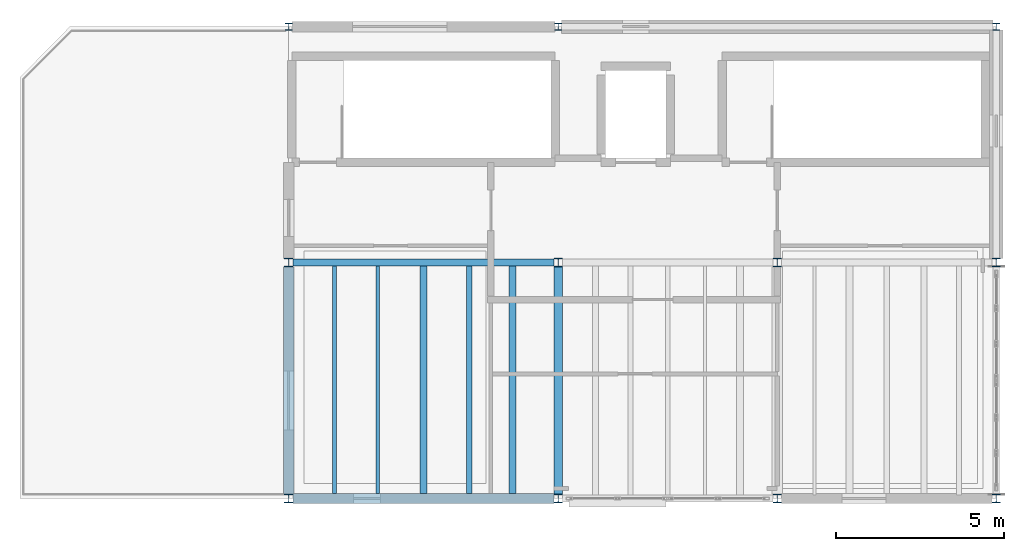
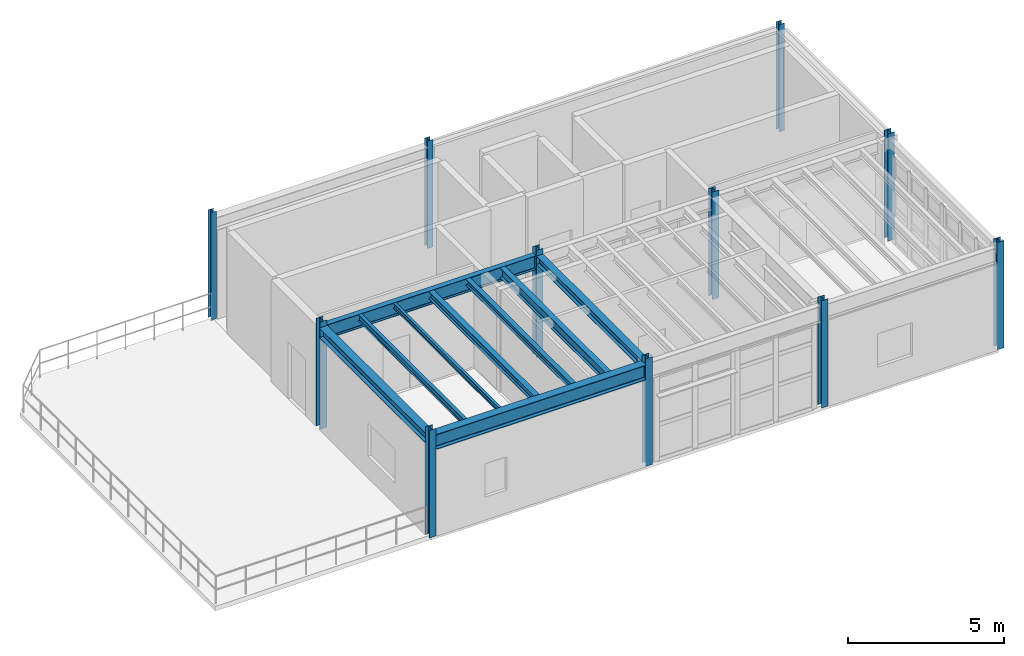
# One storey, part 1 of 8: 11 columns, 9 beams.
"""IFC4 building model written with IfcOpenShell, lengths in metres."""

from ifc_helpers import new_model, si_unit, direction, frame, origin, origin_2d, place, context, subcontext, project, spatial, i_section, extrude, material, material_profile, profile_set, type_object, element, save


model = new_model("IFC4")

# Units and contexts
model_context = context("Model", 3, precision=1e-05, world=origin(), true_north=direction((0.0, 1.0)))
body_context = subcontext(model_context, "Body", "Model", "MODEL_VIEW")
ifc_project = project(units=[si_unit("LENGTHUNIT", "METRE"), si_unit("AREAUNIT", "SQUARE_METRE"), si_unit("VOLUMEUNIT", "CUBIC_METRE"), si_unit("PLANEANGLEUNIT", "RADIAN"), si_unit("MASSUNIT", "GRAM", prefix="KILO"), si_unit("THERMODYNAMICTEMPERATUREUNIT", "KELVIN"), si_unit("POWERUNIT", "WATT")], contexts=[model_context])

# Site, building, storey
site_placement = place(None, origin())
site = spatial("IfcSite", under=ifc_project, at=site_placement, CompositionType="ELEMENT")
building_placement = place(site_placement, origin())
building = spatial("IfcBuilding", under=site, at=building_placement, Name="Zhenchuan Central Fire Station", CompositionType="ELEMENT")
storey_placement = place(building_placement, frame((0.0, 0.0, 22.64990234375)))
storey = spatial("IfcBuildingStorey", under=building, at=storey_placement, Name="L06", CompositionType="ELEMENT", Elevation=22.64990234375)

# Columns
ifc_material = material(Name="Steel Q355B", Category="steel")
ifc_material_profile_1 = material_profile(ifc_material, i_section(OverallWidth=0.199951171875, OverallDepth=0.199951171875, WebThickness=0.008056640625, FlangeThickness=0.011962890625, FilletRadius=0.012939453125, at=origin_2d()), Name="HW 200x200")
ifc_profile_set_1 = profile_set([ifc_material_profile_1], Name="Steel Q355B")
column_type_1 = type_object("IfcColumnType", Name="COL-HW200", PredefinedType="COLUMN", material=ifc_profile_set_1)
for number, where, z_axis, x_axis, name in (
    (1, (140.0, 56.5, 0.0), (0.0, 0.0, 1.0), (1.0, 0.0, 0.0), "L06 Column 003"),
    (2, (148.0, 56.5, 0.0), (0.0, 0.0, 1.0), (1.0, 0.0, 0.0), "L06 Column 006"),
    (3, (161.0, 56.5, 0.0), (0.0, 0.0, 1.0), (1.0, 0.0, 0.0), "L06 Column 011"),
):
    element("IfcColumn", number, at=place(storey_placement, frame(where, z_axis=z_axis, x_axis=x_axis)), inside=storey, type_object=column_type_1, Name=name, PredefinedType="COLUMN", context=body_context, shape_type="SweptSolid", body=[
        extrude(i_section(OverallWidth=0.199951171875, OverallDepth=0.199951171875, WebThickness=0.008056640625, FlangeThickness=0.011962890625, FilletRadius=0.012939453125, at=origin_2d()), origin(), (0.0, 0.0, 1.0), 4.2001953125),
    ])
ifc_material_profile_2 = material_profile(ifc_material, i_section(OverallWidth=0.25, OverallDepth=0.25, WebThickness=0.009033203125, FlangeThickness=0.013916015625, FilletRadius=0.01611328125, at=origin_2d()), Name="HW 250x250")
ifc_profile_set_2 = profile_set([ifc_material_profile_2], Name="Steel Q355B")
column_type_2 = type_object("IfcColumnType", Name="COL-HW250", PredefinedType="COLUMN", material=ifc_profile_set_2)
for number, where, z_axis, x_axis, name in (
    (4, (140.0, 42.5, 0.0), (0.0, 0.0, 1.0), (1.0, 0.0, 0.0), "L06 Column 001"),
    (5, (140.0, 49.5, 0.0), (0.0, 0.0, 1.0), (1.0, 0.0, 0.0), "L06 Column 002"),
    (6, (148.0, 42.5, 0.0), (0.0, 0.0, 1.0), (1.0, 0.0, 0.0), "L06 Column 004"),
    (7, (148.0, 49.5, 0.0), (0.0, 0.0, 1.0), (1.0, 0.0, 0.0), "L06 Column 005"),
    (8, (154.5, 42.5, 0.0), (0.0, 0.0, 1.0), (1.0, 0.0, 0.0), "L06 Column 007"),
    (9, (154.5, 49.5, 0.0), (0.0, 0.0, 1.0), (1.0, 0.0, 0.0), "L06 Column 008"),
):
    element("IfcColumn", number, at=place(storey_placement, frame(where, z_axis=z_axis, x_axis=x_axis)), inside=storey, type_object=column_type_2, Name=name, PredefinedType="COLUMN", context=body_context, shape_type="SweptSolid", body=[
        extrude(i_section(OverallWidth=0.25, OverallDepth=0.25, WebThickness=0.009033203125, FlangeThickness=0.013916015625, FilletRadius=0.01611328125, at=origin_2d()), origin(), (0.0, 0.0, 1.0), 4.2001953125),
    ])
ifc_material_profile_3 = material_profile(ifc_material, i_section(OverallWidth=0.25, OverallDepth=0.25, WebThickness=0.009033203125, FlangeThickness=0.013916015625, FilletRadius=0.01611328125, at=origin_2d()), Name="HW 250x250")
ifc_profile_set_3 = profile_set([ifc_material_profile_3], Name="Steel Q355B")
column_type_3 = type_object("IfcColumnType", Name="COL-HW250-EXT", PredefinedType="COLUMN", material=ifc_profile_set_3)
for number, where, z_axis, x_axis, name in (
    (10, (161.0, 42.5, 0.0), (0.0, 0.0, 1.0), (1.0, 0.0, 0.0), "L06 Column 009"),
    (11, (161.0, 49.5, 0.0), (0.0, 0.0, 1.0), (1.0, 0.0, 0.0), "L06 Column 010"),
):
    element("IfcColumn", number, at=place(storey_placement, frame(where, z_axis=z_axis, x_axis=x_axis)), inside=storey, type_object=column_type_3, Name=name, PredefinedType="COLUMN", context=body_context, shape_type="SweptSolid", body=[
        extrude(i_section(OverallWidth=0.25, OverallDepth=0.25, WebThickness=0.009033203125, FlangeThickness=0.013916015625, FilletRadius=0.01611328125, at=origin_2d()), origin(), (0.0, 0.0, 1.0), 4.2001953125),
    ])

# Beams
ifc_material_profile_4 = material_profile(ifc_material, i_section(OverallWidth=0.25, OverallDepth=0.340087890625, WebThickness=0.009033203125, FlangeThickness=0.013916015625, FilletRadius=0.01806640625, at=origin_2d()), Name="HM 340x250")
ifc_profile_set_4 = profile_set([ifc_material_profile_4], Name="Steel Q355B")
beam_type_1 = type_object("IfcBeamType", Name="BM-HM340", PredefinedType="BEAM", material=ifc_profile_set_4)
beam_1_placement = place(storey_placement, frame((148.0, 42.625, 3.81005859375), z_axis=(0.0, 1.0, 0.0), x_axis=(-1.0, 0.0, 0.0)))
element("IfcBeam", 12, at=beam_1_placement, inside=storey, type_object=beam_type_1, Name="RF Girder NS 0515", PredefinedType="BEAM", context=body_context, shape_type="SweptSolid", body=[
    extrude(i_section(OverallWidth=0.25, OverallDepth=0.340087890625, WebThickness=0.009033203125, FlangeThickness=0.013916015625, FilletRadius=0.01806640625, at=origin_2d()), origin(), (0.0, 0.0, 1.0), 6.75),
])
ifc_material_profile_5 = material_profile(ifc_material, i_section(OverallWidth=0.300048828125, OverallDepth=0.389892578125, WebThickness=0.010009765625, FlangeThickness=0.01611328125, FilletRadius=0.02001953125, at=origin_2d()), Name="HM 390x300")
ifc_profile_set_5 = profile_set([ifc_material_profile_5], Name="Steel Q355B")
beam_type_2 = type_object("IfcBeamType", Name="BM-HM390-INT", PredefinedType="BEAM", material=ifc_profile_set_5)
beam_2_placement = place(storey_placement, frame((140.0, 42.625, 3.78515625), z_axis=(0.0, 1.0, 0.0), x_axis=(-1.0, 0.0, 0.0)))
element("IfcBeam", 13, at=beam_2_placement, inside=storey, type_object=beam_type_2, Name="RF Girder NS 0514", PredefinedType="BEAM", context=body_context, shape_type="SweptSolid", body=[
    extrude(i_section(OverallWidth=0.300048828125, OverallDepth=0.389892578125, WebThickness=0.010009765625, FlangeThickness=0.01611328125, FilletRadius=0.02001953125, at=origin_2d()), origin(), (0.0, 0.0, 1.0), 6.75),
])
ifc_material_profile_6 = material_profile(ifc_material, i_section(OverallWidth=0.300048828125, OverallDepth=0.587890625, WebThickness=0.011962890625, FlangeThickness=0.02001953125, FilletRadius=0.02392578125, at=origin_2d()), Name="HM 588x300")
ifc_profile_set_6 = profile_set([ifc_material_profile_6], Name="Steel Q355B")
beam_type_3 = type_object("IfcBeamType", Name="BM-HM588", PredefinedType="BEAM", material=ifc_profile_set_6)
beam_3_placement = place(storey_placement, frame((140.125, 42.5, 3.68603515625), z_axis=(1.0, 0.0, 0.0), x_axis=(0.0, 1.0, 0.0)))
element("IfcBeam", 14, at=beam_3_placement, inside=storey, type_object=beam_type_3, Name="RF Girder EW 0506", PredefinedType="BEAM", context=body_context, shape_type="SweptSolid", body=[
    extrude(i_section(OverallWidth=0.300048828125, OverallDepth=0.587890625, WebThickness=0.011962890625, FlangeThickness=0.02001953125, FilletRadius=0.02392578125, at=origin_2d()), origin(), (0.0, 0.0, 1.0), 7.75),
])
ifc_material_profile_7 = material_profile(ifc_material, i_section(OverallWidth=0.199951171875, OverallDepth=0.550048828125, WebThickness=0.010009765625, FlangeThickness=0.01611328125, FilletRadius=0.02001953125, at=origin_2d()), Name="HN 550x200")
ifc_profile_set_7 = profile_set([ifc_material_profile_7], Name="Steel Q355B")
beam_type_4 = type_object("IfcBeamType", Name="BM-HN550-INT", PredefinedType="BEAM", material=ifc_profile_set_7)
beam_4_placement = place(storey_placement, frame((140.125, 49.5, 3.705078125), z_axis=(1.0, 0.0, 0.0), x_axis=(0.0, 1.0, 0.0)))
element("IfcBeam", 15, at=beam_4_placement, inside=storey, type_object=beam_type_4, Name="RF Girder EW 0509", PredefinedType="BEAM", context=body_context, shape_type="SweptSolid", body=[
    extrude(i_section(OverallWidth=0.199951171875, OverallDepth=0.550048828125, WebThickness=0.010009765625, FlangeThickness=0.01611328125, FilletRadius=0.02001953125, at=origin_2d()), origin(), (0.0, 0.0, 1.0), 7.75),
])
ifc_material_profile_8 = material_profile(ifc_material, i_section(OverallWidth=0.175048828125, OverallDepth=0.243896484375, WebThickness=0.007080078125, FlangeThickness=0.010986328125, FilletRadius=0.012939453125, at=origin_2d()), Name="HM 244x175")
ifc_profile_set_8 = profile_set([ifc_material_profile_8], Name="Steel Q355B")
beam_type_5 = type_object("IfcBeamType", Name="JS-HM244", PredefinedType="JOIST", material=ifc_profile_set_8)
beam_5_placement = place(storey_placement, frame((145.360107421875, 42.64697265625, 3.858154296875), z_axis=(0.0, 1.0, 0.0), x_axis=(-1.0, 0.0, 0.0)))
element("IfcBeam", 16, at=beam_5_placement, inside=storey, type_object=beam_type_5, Name="RF Secondary Joist 0819", PredefinedType="JOIST", context=body_context, shape_type="SweptSolid", body=[
    extrude(i_section(OverallWidth=0.175048828125, OverallDepth=0.243896484375, WebThickness=0.007080078125, FlangeThickness=0.010986328125, FilletRadius=0.012939453125, at=origin_2d()), origin(), (0.0, 0.0, 1.0), 6.756103515625),
])
ifc_material_profile_9 = material_profile(ifc_material, i_section(OverallWidth=0.199951171875, OverallDepth=0.2939453125, WebThickness=0.008056640625, FlangeThickness=0.011962890625, FilletRadius=0.01611328125, at=origin_2d()), Name="HM 294x200")
ifc_profile_set_9 = profile_set([ifc_material_profile_9], Name="Steel Q355B")
beam_type_6 = type_object("IfcBeamType", Name="JS-HM294", PredefinedType="JOIST", material=ifc_profile_set_9)
beam_6_placement = place(storey_placement, frame((144.0, 42.64697265625, 3.8330078125), z_axis=(0.0, 1.0, 0.0), x_axis=(-1.0, 0.0, 0.0)))
element("IfcBeam", 17, at=beam_6_placement, inside=storey, type_object=beam_type_6, Name="RF Secondary Joist 0818", PredefinedType="JOIST", context=body_context, shape_type="SweptSolid", body=[
    extrude(i_section(OverallWidth=0.199951171875, OverallDepth=0.2939453125, WebThickness=0.008056640625, FlangeThickness=0.011962890625, FilletRadius=0.01611328125, at=origin_2d()), origin(), (0.0, 0.0, 1.0), 6.756103515625),
])
ifc_material_profile_10 = material_profile(ifc_material, i_section(OverallWidth=0.10009765625, OverallDepth=0.199951171875, WebThickness=0.005615234375, FlangeThickness=0.008056640625, FilletRadius=0.010986328125, at=origin_2d()), Name="HN 200x100")
ifc_profile_set_10 = profile_set([ifc_material_profile_10], Name="Steel Q355B")
beam_type_7 = type_object("IfcBeamType", Name="JS-HN200", PredefinedType="JOIST", material=ifc_profile_set_10)
beam_7_placement = place(storey_placement, frame((142.639892578125, 42.64697265625, 3.880126953125), z_axis=(0.0, 1.0, 0.0), x_axis=(-1.0, 0.0, 0.0)))
element("IfcBeam", 18, at=beam_7_placement, inside=storey, type_object=beam_type_7, Name="RF Secondary Joist 0817", PredefinedType="JOIST", context=body_context, shape_type="SweptSolid", body=[
    extrude(i_section(OverallWidth=0.10009765625, OverallDepth=0.199951171875, WebThickness=0.005615234375, FlangeThickness=0.008056640625, FilletRadius=0.010986328125, at=origin_2d()), origin(), (0.0, 0.0, 1.0), 6.756103515625),
])
ifc_material_profile_11 = material_profile(ifc_material, i_section(OverallWidth=0.125, OverallDepth=0.25, WebThickness=0.006103515625, FlangeThickness=0.009033203125, FilletRadius=0.011962890625, at=origin_2d()), Name="HN 250x125")
ifc_profile_set_11 = profile_set([ifc_material_profile_11], Name="Steel Q355B")
beam_type_8 = type_object("IfcBeamType", Name="JS-HN250", PredefinedType="JOIST", material=ifc_profile_set_11)
beam_8_placement = place(storey_placement, frame((141.360107421875, 42.64697265625, 3.85498046875), z_axis=(0.0, 1.0, 0.0), x_axis=(-1.0, 0.0, 0.0)))
element("IfcBeam", 19, at=beam_8_placement, inside=storey, type_object=beam_type_8, Name="RF Secondary Joist 0816", PredefinedType="JOIST", context=body_context, shape_type="SweptSolid", body=[
    extrude(i_section(OverallWidth=0.125, OverallDepth=0.25, WebThickness=0.006103515625, FlangeThickness=0.009033203125, FilletRadius=0.011962890625, at=origin_2d()), origin(), (0.0, 0.0, 1.0), 6.756103515625),
])
ifc_material_profile_12 = material_profile(ifc_material, i_section(OverallWidth=0.199951171875, OverallDepth=0.39990234375, WebThickness=0.008056640625, FlangeThickness=0.012939453125, FilletRadius=0.01611328125, at=origin_2d()), Name="HN 400x200")
ifc_profile_set_12 = profile_set([ifc_material_profile_12], Name="Steel Q355B")
beam_type_9 = type_object("IfcBeamType", Name="JS-HN400", PredefinedType="JOIST", material=ifc_profile_set_12)
beam_9_placement = place(storey_placement, frame((146.639892578125, 42.64697265625, 3.780029296875), z_axis=(0.0, 1.0, 0.0), x_axis=(-1.0, 0.0, 0.0)))
element("IfcBeam", 20, at=beam_9_placement, inside=storey, type_object=beam_type_9, Name="RF Secondary Joist 0820", PredefinedType="JOIST", context=body_context, shape_type="SweptSolid", body=[
    extrude(i_section(OverallWidth=0.199951171875, OverallDepth=0.39990234375, WebThickness=0.008056640625, FlangeThickness=0.012939453125, FilletRadius=0.01611328125, at=origin_2d()), origin(), (0.0, 0.0, 1.0), 6.756103515625),
])

save(model, "model.ifc")
